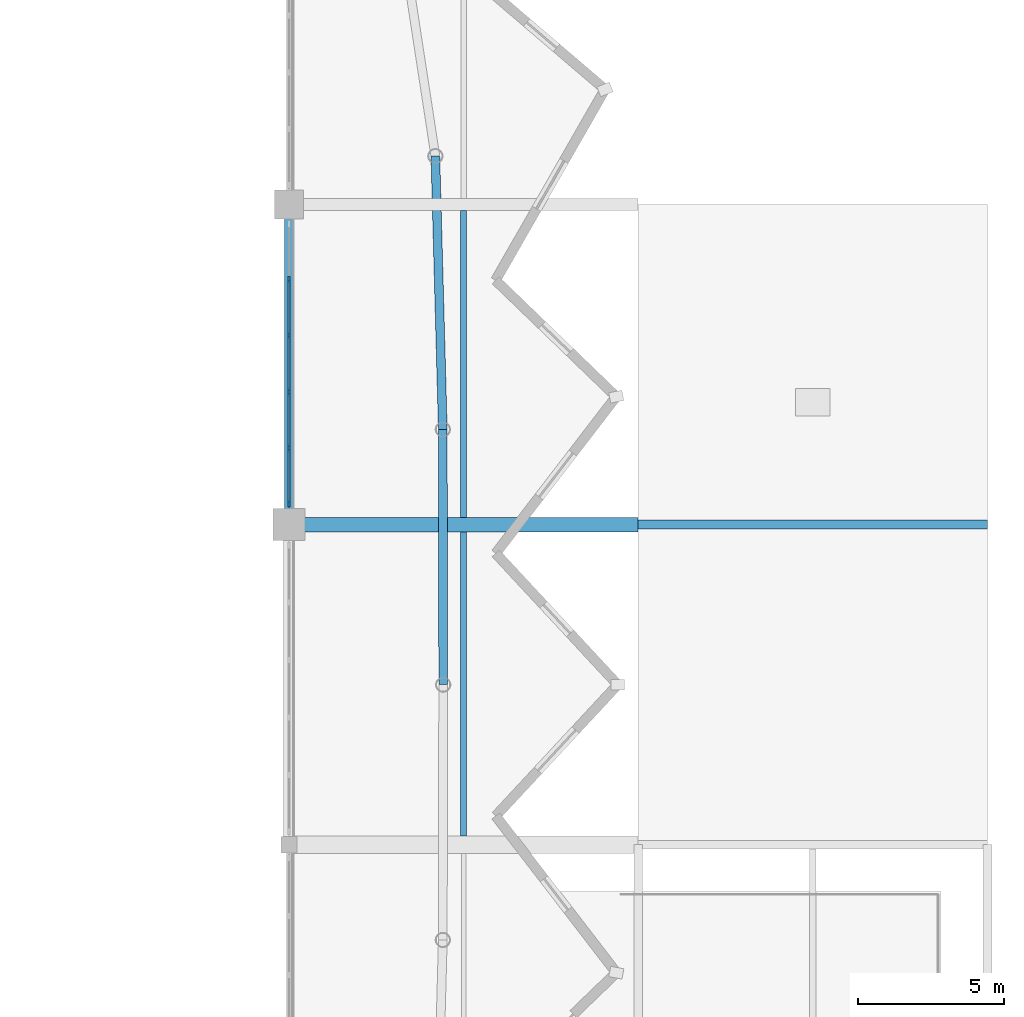
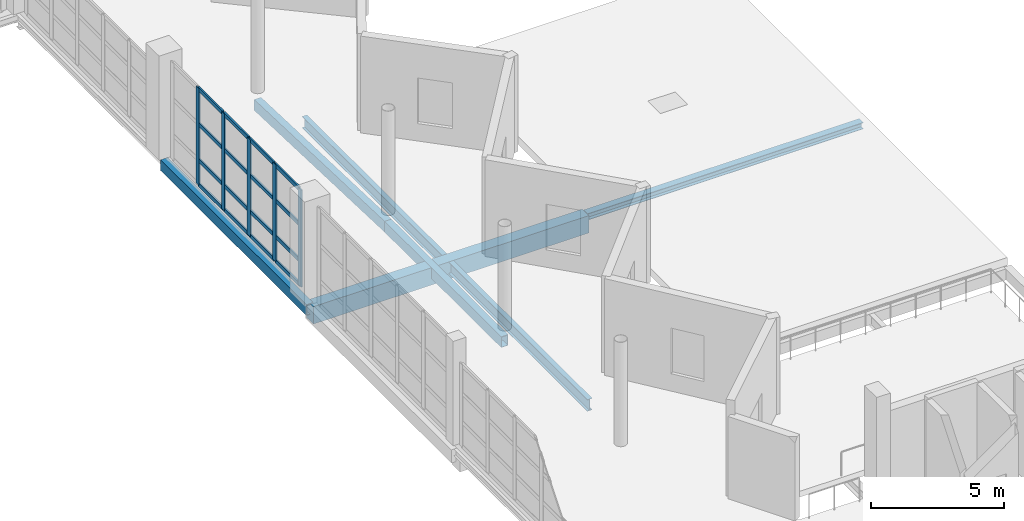
# One storey, part 20 of 53: 21 members, 7 beams, 1 element without a shape of its own.
"""IFC4 building model written with IfcOpenShell, lengths in metres."""

from ifc_helpers import new_model, si_unit, direction, frame, origin, origin_2d, place, context, subcontext, project, spatial, rectangle, hollow_rectangle, i_section, extrude, material, material_profile, profile_set, type_object, element, aggregate, save


model = new_model("IFC4")

# Units and contexts
model_context = context("Model", 3, precision=1e-05, world=origin(), true_north=direction((0.0, 1.0)))
body_context = subcontext(model_context, "Body", "Model", "MODEL_VIEW")
ifc_project = project(units=[si_unit("LENGTHUNIT", "METRE"), si_unit("AREAUNIT", "SQUARE_METRE"), si_unit("VOLUMEUNIT", "CUBIC_METRE"), si_unit("PLANEANGLEUNIT", "RADIAN"), si_unit("MASSUNIT", "GRAM", prefix="KILO")], contexts=[model_context])

# Site, building, storey
site_placement = place(None, origin())
site = spatial("IfcSite", under=ifc_project, at=site_placement, CompositionType="ELEMENT")
building_placement = place(site_placement, origin())
building = spatial("IfcBuilding", under=site, at=building_placement, Name="Luwafu Chhajja Arena", CompositionType="ELEMENT")
storey_placement = place(building_placement, frame((0.0, 0.0, 19.5)))
storey = spatial("IfcBuildingStorey", under=building, at=storey_placement, Name="L04", CompositionType="ELEMENT", Elevation=19.5)

# Curtain wall, members
ifc_material_1 = material(Name="Anodised bronze aluminium", Category="aluminium")
curtain_wall_type = type_object("IfcCurtainWallType", Name="Media Ribbon Curtain Wall", PredefinedType="USERDEFINED", material=ifc_material_1)
curtain_wall_placement = place(storey_placement, origin())
curtain_wall = element("IfcCurtainWall", 1, at=curtain_wall_placement, inside=storey, type_object=curtain_wall_type, Name="L04 Bowl Viewing Curtain Wall CWR-L04-23", ObjectType="CURTAIN WALL", PredefinedType="USERDEFINED")
ifc_material_profile_1 = material_profile(ifc_material_1, rectangle(XDim=0.070068359375, YDim=0.239990234375, at=origin_2d()), Name="CWM 70x240")
ifc_profile_set_1 = profile_set([ifc_material_profile_1], Name="Anodised bronze aluminium")
member_type_1 = type_object("IfcMemberType", Name="Bronze Curtain Wall Mullion 70x240", PredefinedType="MULLION", material=ifc_profile_set_1)
member_1_placement = place(storey_placement, frame((140.0, 55.72509765625, 0.0), z_axis=(0.0, 0.0, 1.0), x_axis=(-1.0, 0.0, 0.0)))
member_1 = element("IfcMember", 2, at=member_1_placement, type_object=member_type_1, Name="CW-03 mullion 1", PredefinedType="MULLION", context=body_context, shape_type="SweptSolid", body=[
    extrude(rectangle(XDim=0.070068359375, YDim=0.239990234375, at=origin_2d()), origin(), (0.0, 0.0, 1.0), 4.4599609375),
])
member_2_placement = place(storey_placement, frame((140.0, 57.6240234375, 0.0), z_axis=(0.0, 0.0, 1.0), x_axis=(-1.0, 0.0, 0.0)))
member_2 = element("IfcMember", 3, at=member_2_placement, type_object=member_type_1, Name="CW-03 mullion 2", PredefinedType="MULLION", context=body_context, shape_type="SweptSolid", body=[
    extrude(rectangle(XDim=0.070068359375, YDim=0.239990234375, at=origin_2d()), origin(), (0.0, 0.0, 1.0), 4.4599609375),
])
member_3_placement = place(storey_placement, frame((140.0, 59.55810546875, 0.0), z_axis=(0.0, 0.0, 1.0), x_axis=(-1.0, 0.0, 0.0)))
member_3 = element("IfcMember", 4, at=member_3_placement, type_object=member_type_1, Name="CW-03 mullion 3", PredefinedType="MULLION", context=body_context, shape_type="SweptSolid", body=[
    extrude(rectangle(XDim=0.070068359375, YDim=0.239990234375, at=origin_2d()), origin(), (0.0, 0.0, 1.0), 4.4599609375),
])
member_4_placement = place(storey_placement, frame((140.0, 61.491943359375, 0.0), z_axis=(0.0, 0.0, 1.0), x_axis=(-1.0, 0.0, 0.0)))
member_4 = element("IfcMember", 5, at=member_4_placement, type_object=member_type_1, Name="CW-03 mullion 4", PredefinedType="MULLION", context=body_context, shape_type="SweptSolid", body=[
    extrude(rectangle(XDim=0.070068359375, YDim=0.239990234375, at=origin_2d()), origin(), (0.0, 0.0, 1.0), 4.4599609375),
])
member_5_placement = place(storey_placement, frame((140.0, 63.426025390625, 0.0), z_axis=(0.0, 0.0, 1.0), x_axis=(-1.0, 0.0, 0.0)))
member_5 = element("IfcMember", 6, at=member_5_placement, type_object=member_type_1, Name="CW-03 mullion 5", PredefinedType="MULLION", context=body_context, shape_type="SweptSolid", body=[
    extrude(rectangle(XDim=0.070068359375, YDim=0.239990234375, at=origin_2d()), origin(), (0.0, 0.0, 1.0), 4.4599609375),
])
ifc_material_profile_2 = material_profile(ifc_material_1, rectangle(XDim=0.070068359375, YDim=0.179931640625, at=origin_2d()), Name="CWT 70x180")
ifc_profile_set_2 = profile_set([ifc_material_profile_2], Name="Anodised bronze aluminium")
member_type_2 = type_object("IfcMemberType", Name="Bronze Curtain Wall Transom 70x180", PredefinedType="USERDEFINED", material=ifc_profile_set_2)
member_6_placement = place(storey_placement, frame((140.0, 55.760009765625, 0.034912109375), z_axis=(0.0, 1.0, 0.0), x_axis=(-1.0, 0.0, 0.0)))
member_6 = element("IfcMember", 7, at=member_6_placement, type_object=member_type_2, Name="CW-03 transom 1.1", ObjectType="TRANSOM", PredefinedType="USERDEFINED", context=body_context, shape_type="SweptSolid", body=[
    extrude(rectangle(XDim=0.070068359375, YDim=0.179931640625, at=origin_2d()), origin(), (0.0, 0.0, 1.0), 1.8291015625),
])
member_7_placement = place(storey_placement, frame((140.0, 55.760009765625, 1.14990234375), z_axis=(0.0, 1.0, 0.0), x_axis=(-1.0, 0.0, 0.0)))
member_7 = element("IfcMember", 8, at=member_7_placement, type_object=member_type_2, Name="CW-03 transom 1.2", ObjectType="TRANSOM", PredefinedType="USERDEFINED", context=body_context, shape_type="SweptSolid", body=[
    extrude(rectangle(XDim=0.070068359375, YDim=0.179931640625, at=origin_2d()), origin(), (0.0, 0.0, 1.0), 1.8291015625),
])
member_8_placement = place(storey_placement, frame((140.0, 55.760009765625, 2.804931640625), z_axis=(0.0, 1.0, 0.0), x_axis=(-1.0, 0.0, 0.0)))
member_8 = element("IfcMember", 9, at=member_8_placement, type_object=member_type_2, Name="CW-03 transom 1.3", ObjectType="TRANSOM", PredefinedType="USERDEFINED", context=body_context, shape_type="SweptSolid", body=[
    extrude(rectangle(XDim=0.070068359375, YDim=0.179931640625, at=origin_2d()), origin(), (0.0, 0.0, 1.0), 1.8291015625),
])
member_9_placement = place(storey_placement, frame((140.0, 55.760009765625, 4.425048828125), z_axis=(0.0, 1.0, 0.0), x_axis=(-1.0, 0.0, 0.0)))
member_9 = element("IfcMember", 10, at=member_9_placement, type_object=member_type_2, Name="CW-03 transom 1.4", ObjectType="TRANSOM", PredefinedType="USERDEFINED", context=body_context, shape_type="SweptSolid", body=[
    extrude(rectangle(XDim=0.070068359375, YDim=0.179931640625, at=origin_2d()), origin(), (0.0, 0.0, 1.0), 1.8291015625),
])
member_10_placement = place(storey_placement, frame((140.0, 57.658935546875, 0.034912109375), z_axis=(0.0, 1.0, 0.0), x_axis=(-1.0, 0.0, 0.0)))
member_10 = element("IfcMember", 11, at=member_10_placement, type_object=member_type_2, Name="CW-03 transom 2.1", ObjectType="TRANSOM", PredefinedType="USERDEFINED", context=body_context, shape_type="SweptSolid", body=[
    extrude(rectangle(XDim=0.070068359375, YDim=0.179931640625, at=origin_2d()), origin(), (0.0, 0.0, 1.0), 1.864013671875),
])
member_11_placement = place(storey_placement, frame((140.0, 57.658935546875, 1.14990234375), z_axis=(0.0, 1.0, 0.0), x_axis=(-1.0, 0.0, 0.0)))
member_11 = element("IfcMember", 12, at=member_11_placement, type_object=member_type_2, Name="CW-03 transom 2.2", ObjectType="TRANSOM", PredefinedType="USERDEFINED", context=body_context, shape_type="SweptSolid", body=[
    extrude(rectangle(XDim=0.070068359375, YDim=0.179931640625, at=origin_2d()), origin(), (0.0, 0.0, 1.0), 1.864013671875),
])
member_12_placement = place(storey_placement, frame((140.0, 57.658935546875, 2.804931640625), z_axis=(0.0, 1.0, 0.0), x_axis=(-1.0, 0.0, 0.0)))
member_12 = element("IfcMember", 13, at=member_12_placement, type_object=member_type_2, Name="CW-03 transom 2.3", ObjectType="TRANSOM", PredefinedType="USERDEFINED", context=body_context, shape_type="SweptSolid", body=[
    extrude(rectangle(XDim=0.070068359375, YDim=0.179931640625, at=origin_2d()), origin(), (0.0, 0.0, 1.0), 1.864013671875),
])
member_13_placement = place(storey_placement, frame((140.0, 57.658935546875, 4.425048828125), z_axis=(0.0, 1.0, 0.0), x_axis=(-1.0, 0.0, 0.0)))
member_13 = element("IfcMember", 14, at=member_13_placement, type_object=member_type_2, Name="CW-03 transom 2.4", ObjectType="TRANSOM", PredefinedType="USERDEFINED", context=body_context, shape_type="SweptSolid", body=[
    extrude(rectangle(XDim=0.070068359375, YDim=0.179931640625, at=origin_2d()), origin(), (0.0, 0.0, 1.0), 1.864013671875),
])
member_14_placement = place(storey_placement, frame((140.0, 59.593017578125, 0.034912109375), z_axis=(0.0, 1.0, 0.0), x_axis=(-1.0, 0.0, 0.0)))
member_14 = element("IfcMember", 15, at=member_14_placement, type_object=member_type_2, Name="CW-03 transom 3.1", ObjectType="TRANSOM", PredefinedType="USERDEFINED", context=body_context, shape_type="SweptSolid", body=[
    extrude(rectangle(XDim=0.070068359375, YDim=0.179931640625, at=origin_2d()), origin(), (0.0, 0.0, 1.0), 1.864013671875),
])
member_15_placement = place(storey_placement, frame((140.0, 59.593017578125, 1.14990234375), z_axis=(0.0, 1.0, 0.0), x_axis=(-1.0, 0.0, 0.0)))
member_15 = element("IfcMember", 16, at=member_15_placement, type_object=member_type_2, Name="CW-03 transom 3.2", ObjectType="TRANSOM", PredefinedType="USERDEFINED", context=body_context, shape_type="SweptSolid", body=[
    extrude(rectangle(XDim=0.070068359375, YDim=0.179931640625, at=origin_2d()), origin(), (0.0, 0.0, 1.0), 1.864013671875),
])
member_16_placement = place(storey_placement, frame((140.0, 59.593017578125, 2.804931640625), z_axis=(0.0, 1.0, 0.0), x_axis=(-1.0, 0.0, 0.0)))
member_16 = element("IfcMember", 17, at=member_16_placement, type_object=member_type_2, Name="CW-03 transom 3.3", ObjectType="TRANSOM", PredefinedType="USERDEFINED", context=body_context, shape_type="SweptSolid", body=[
    extrude(rectangle(XDim=0.070068359375, YDim=0.179931640625, at=origin_2d()), origin(), (0.0, 0.0, 1.0), 1.864013671875),
])
member_17_placement = place(storey_placement, frame((140.0, 59.593017578125, 4.425048828125), z_axis=(0.0, 1.0, 0.0), x_axis=(-1.0, 0.0, 0.0)))
member_17 = element("IfcMember", 18, at=member_17_placement, type_object=member_type_2, Name="CW-03 transom 3.4", ObjectType="TRANSOM", PredefinedType="USERDEFINED", context=body_context, shape_type="SweptSolid", body=[
    extrude(rectangle(XDim=0.070068359375, YDim=0.179931640625, at=origin_2d()), origin(), (0.0, 0.0, 1.0), 1.864013671875),
])
member_18_placement = place(storey_placement, frame((140.0, 61.527099609375, 0.034912109375), z_axis=(0.0, 1.0, 0.0), x_axis=(-1.0, 0.0, 0.0)))
member_18 = element("IfcMember", 19, at=member_18_placement, type_object=member_type_2, Name="CW-03 transom 4.1", ObjectType="TRANSOM", PredefinedType="USERDEFINED", context=body_context, shape_type="SweptSolid", body=[
    extrude(rectangle(XDim=0.070068359375, YDim=0.179931640625, at=origin_2d()), origin(), (0.0, 0.0, 1.0), 1.864013671875),
])
member_19_placement = place(storey_placement, frame((140.0, 61.527099609375, 1.14990234375), z_axis=(0.0, 1.0, 0.0), x_axis=(-1.0, 0.0, 0.0)))
member_19 = element("IfcMember", 20, at=member_19_placement, type_object=member_type_2, Name="CW-03 transom 4.2", ObjectType="TRANSOM", PredefinedType="USERDEFINED", context=body_context, shape_type="SweptSolid", body=[
    extrude(rectangle(XDim=0.070068359375, YDim=0.179931640625, at=origin_2d()), origin(), (0.0, 0.0, 1.0), 1.864013671875),
])
member_20_placement = place(storey_placement, frame((140.0, 61.527099609375, 2.804931640625), z_axis=(0.0, 1.0, 0.0), x_axis=(-1.0, 0.0, 0.0)))
member_20 = element("IfcMember", 21, at=member_20_placement, type_object=member_type_2, Name="CW-03 transom 4.3", ObjectType="TRANSOM", PredefinedType="USERDEFINED", context=body_context, shape_type="SweptSolid", body=[
    extrude(rectangle(XDim=0.070068359375, YDim=0.179931640625, at=origin_2d()), origin(), (0.0, 0.0, 1.0), 1.864013671875),
])
member_21_placement = place(storey_placement, frame((140.0, 61.527099609375, 4.425048828125), z_axis=(0.0, 1.0, 0.0), x_axis=(-1.0, 0.0, 0.0)))
member_21 = element("IfcMember", 22, at=member_21_placement, type_object=member_type_2, Name="CW-03 transom 4.4", ObjectType="TRANSOM", PredefinedType="USERDEFINED", context=body_context, shape_type="SweptSolid", body=[
    extrude(rectangle(XDim=0.070068359375, YDim=0.179931640625, at=origin_2d()), origin(), (0.0, 0.0, 1.0), 1.864013671875),
])
aggregate(curtain_wall, [member_1, member_2, member_3, member_4, member_5, member_6, member_7, member_8, member_9, member_10, member_11, member_12, member_13, member_14, member_15, member_16, member_17, member_18, member_19, member_20, member_21])

# Beams
ifc_material_2 = material(Name="Steel S355", Category="steel")
ifc_material_profile_3 = material_profile(ifc_material_2, i_section(OverallWidth=0.2099609375, OverallDepth=0.53662109375, WebThickness=0.0107421875, FlangeThickness=0.017333984375, at=origin_2d()), Name="UB 533x210x101")
ifc_profile_set_3 = profile_set([ifc_material_profile_3], Name="Steel S355")
beam_type_1 = type_object("IfcBeamType", Name="Floor Joist UB 533x210x101", PredefinedType="JOIST", material=ifc_profile_set_3)
beam_1_placement = place(storey_placement, frame((146.0, 44.300048828125, -0.658447265625), z_axis=(0.0, 1.0, 0.0), x_axis=(-1.0, 0.0, 0.0)))
element("IfcBeam", 23, at=beam_1_placement, inside=storey, type_object=beam_type_1, Name="L04 Secondary Joist 13-14/E", PredefinedType="JOIST", context=body_context, shape_type="SweptSolid", body=[
    extrude(i_section(OverallWidth=0.2099609375, OverallDepth=0.53662109375, WebThickness=0.0107421875, FlangeThickness=0.017333984375, at=origin_2d()), origin(), (0.0, 0.0, 1.0), 10.449951171875),
])
ifc_material_profile_4 = material_profile(ifc_material_2, i_section(OverallWidth=0.209228515625, OverallDepth=0.533203125, WebThickness=0.010009765625, FlangeThickness=0.015625, at=origin_2d()), Name="UB 533x210x92")
ifc_profile_set_4 = profile_set([ifc_material_profile_4], Name="Steel S355")
beam_type_2 = type_object("IfcBeamType", Name="Floor Joist UB 533x210x92", PredefinedType="JOIST", material=ifc_profile_set_4)
beam_2_placement = place(storey_placement, frame((146.0, 55.25, -0.656494140625), z_axis=(0.0, 1.0, 0.0), x_axis=(-1.0, 0.0, 0.0)))
element("IfcBeam", 24, at=beam_2_placement, inside=storey, type_object=beam_type_2, Name="L04 Secondary Joist 13-14/F", PredefinedType="JOIST", context=body_context, shape_type="SweptSolid", body=[
    extrude(i_section(OverallWidth=0.209228515625, OverallDepth=0.533203125, WebThickness=0.010009765625, FlangeThickness=0.015625, at=origin_2d()), origin(), (0.0, 0.0, 1.0), 10.550048828125),
])
ifc_material_3 = material(Name="Concrete C35/45", Category="concrete")
ifc_material_profile_5 = material_profile(ifc_material_3, rectangle(XDim=0.5, YDim=0.800048828125, at=origin_2d()), Name="RC 500x800")
ifc_profile_set_5 = profile_set([ifc_material_profile_5], Name="Concrete C35/45")
beam_type_3 = type_object("IfcBeamType", Name="Hospitality Primary Beam RC 500x800", PredefinedType="BEAM", material=ifc_profile_set_5)
beam_3_placement = place(storey_placement, frame((140.0, 55.0, -0.7900390625), z_axis=(1.0, 0.0, 0.0), x_axis=(0.0, 1.0, 0.0)))
element("IfcBeam", 25, at=beam_3_placement, inside=storey, type_object=beam_type_3, Name="L04 Grid Beam 13-14/F", PredefinedType="BEAM", context=body_context, shape_type="SweptSolid", body=[
    extrude(rectangle(XDim=0.5, YDim=0.800048828125, at=origin_2d()), origin(), (0.0, 0.0, 1.0), 12.0),
])
ifc_material_profile_6 = material_profile(ifc_material_2, hollow_rectangle(XDim=0.300048828125, YDim=0.5, WallThickness=0.02001953125, at=origin_2d()), Name="RHS 500x300x20")
ifc_profile_set_6 = profile_set([ifc_material_profile_6], Name="Steel S355")
beam_type_4 = type_object("IfcBeamType", Name="Pleated Drum Spandrel Beam RHS 500x300", PredefinedType="SPANDREL", material=ifc_profile_set_6)
beam_4_placement = place(storey_placement, frame((140.0, 55.0, -0.639892578125), z_axis=(0.0, 1.0, 0.0), x_axis=(-1.0, 0.0, 0.0)))
element("IfcBeam", 26, at=beam_4_placement, inside=storey, type_object=beam_type_4, Name="L04 Grid Beam 13/F-G", PredefinedType="SPANDREL", context=body_context, shape_type="SweptSolid", body=[
    extrude(hollow_rectangle(XDim=0.300048828125, YDim=0.5, WallThickness=0.02001953125, at=origin_2d()), origin(), (0.0, 0.0, 1.0), 11.0),
])
beam_5_placement = place(storey_placement, frame((145.300048828125, 49.5, -0.639892578125), z_axis=(-0.001419780869, 0.999998992111, 0.0), x_axis=(-0.999998992111, -0.001419780869, 0.0)))
element("IfcBeam", 27, at=beam_5_placement, inside=storey, type_object=beam_type_4, Name="L04 Drum Ring Spandrel D01-D02", PredefinedType="SPANDREL", context=body_context, shape_type="SweptSolid", body=[
    extrude(hollow_rectangle(XDim=0.300048828125, YDim=0.5, WallThickness=0.02001953125, at=origin_2d()), origin(), (0.0, 0.0, 1.0), 8.769775390625),
])
beam_6_placement = place(storey_placement, frame((145.28759765625, 58.269775390625, -0.639892578125), z_axis=(-0.02720805866, 0.999629792245, 0.0), x_axis=(-0.999629792245, -0.02720805866, 0.0)))
element("IfcBeam", 28, at=beam_6_placement, inside=storey, type_object=beam_type_4, Name="L04 Drum Ring Spandrel D02-D03", PredefinedType="SPANDREL", context=body_context, shape_type="SweptSolid", body=[
    extrude(hollow_rectangle(XDim=0.300048828125, YDim=0.5, WallThickness=0.02001953125, at=origin_2d()), origin(), (0.0, 0.0, 1.0), 9.394775390625),
])
ifc_material_profile_7 = material_profile(ifc_material_2, i_section(OverallWidth=0.300048828125, OverallDepth=0.300048828125, WebThickness=0.010986328125, FlangeThickness=0.01904296875, at=origin_2d()), Name="HEB 300")
ifc_profile_set_7 = profile_set([ifc_material_profile_7], Name="Steel S355")
beam_type_5 = type_object("IfcBeamType", Name="Steel Core Cap Beam HEB 300", PredefinedType="BEAM", material=ifc_profile_set_7)
beam_7_placement = place(storey_placement, frame((152.0, 55.0, -0.52001953125), z_axis=(1.0, 0.0, 0.0), x_axis=(0.0, 1.0, 0.0)))
element("IfcBeam", 29, at=beam_7_placement, inside=storey, type_object=beam_type_5, Name="L04 Core C6 Cap Beam M", PredefinedType="BEAM", context=body_context, shape_type="SweptSolid", body=[
    extrude(i_section(OverallWidth=0.300048828125, OverallDepth=0.300048828125, WebThickness=0.010986328125, FlangeThickness=0.01904296875, at=origin_2d()), origin(), (0.0, 0.0, 1.0), 12.0),
])

save(model, "model.ifc")
